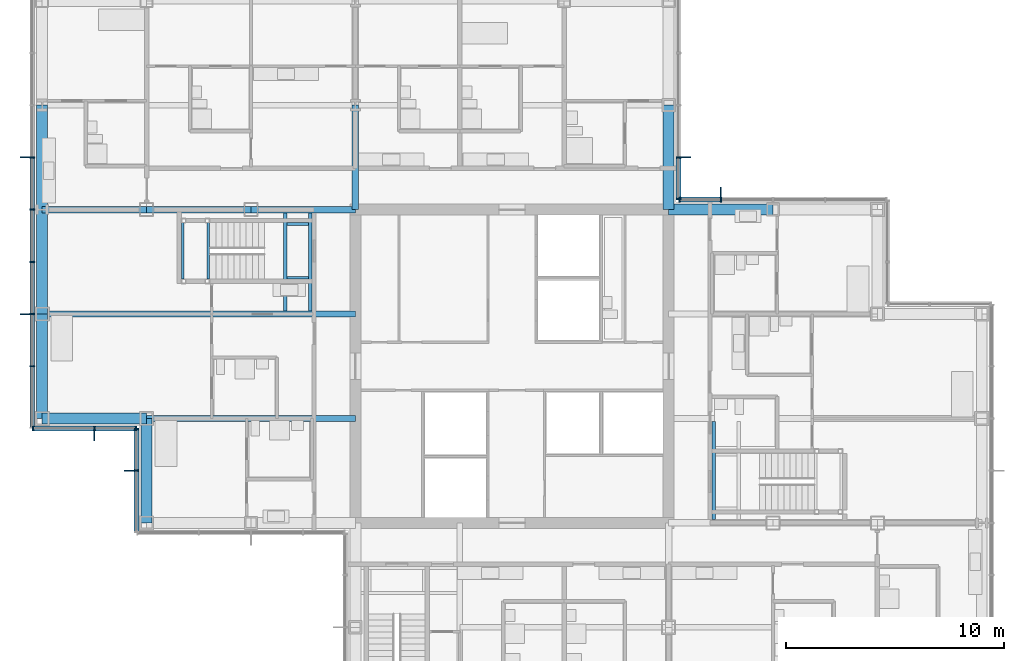
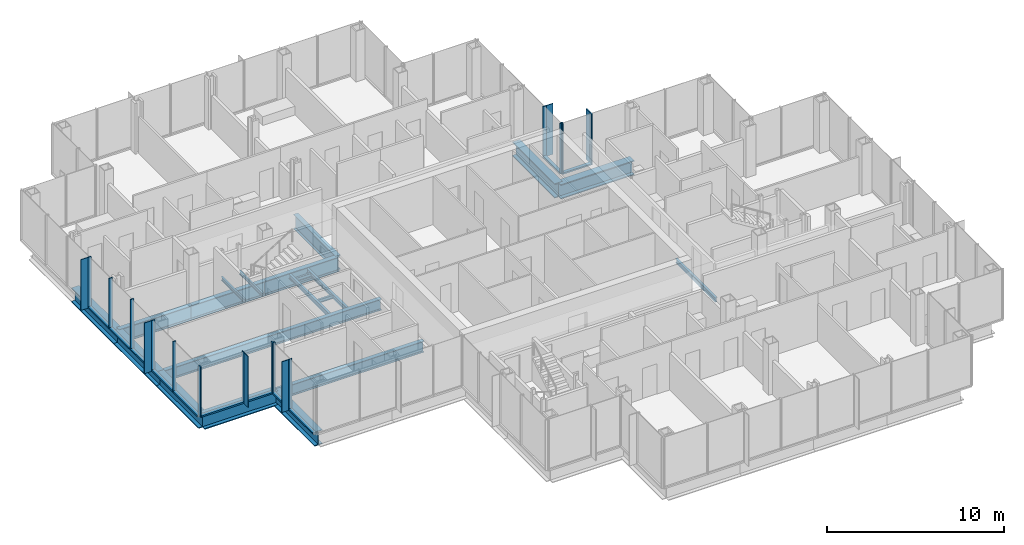
# One storey, part 7 of 19: 31 members, 20 beams, 5 elements without a shape of their own.
"""IFC4 building model written with IfcOpenShell, lengths in metres."""

from ifc_helpers import new_model, si_unit, direction, frame, origin, origin_2d, place, context, subcontext, project, spatial, rectangle, i_section, extrude, material, material_profile, profile_set, type_object, element, aggregate, save


model = new_model("IFC4")

# Units and contexts
model_context = context("Model", 3, precision=1e-05, world=origin(), true_north=direction((0.0, 1.0)))
body_context = subcontext(model_context, "Body", "Model", "MODEL_VIEW")
ifc_project = project(units=[si_unit("LENGTHUNIT", "METRE"), si_unit("AREAUNIT", "SQUARE_METRE"), si_unit("VOLUMEUNIT", "CUBIC_METRE"), si_unit("PLANEANGLEUNIT", "RADIAN"), si_unit("MASSUNIT", "GRAM", prefix="KILO")], contexts=[model_context])

# Site, building, storey
site_placement = place(None, origin())
site = spatial("IfcSite", under=ifc_project, at=site_placement, CompositionType="ELEMENT")
building_placement = place(site_placement, origin())
building = spatial("IfcBuilding", under=site, at=building_placement, Name="Kvirike Care Tower", CompositionType="ELEMENT")
storey_placement = place(building_placement, frame((0.0, 0.0, 98.0)))
storey = spatial("IfcBuildingStorey", under=building, at=storey_placement, Name="L26", CompositionType="ELEMENT", Elevation=98.0)

# Curtain wall, member
ifc_material_1 = material(Name="Anodised aluminium stick system", Category="aluminium")
curtain_wall_type = type_object("IfcCurtainWallType", Name="CW-B STICK CURTAIN WALL", PredefinedType="NOTDEFINED", material=ifc_material_1)
curtain_wall_1_placement = place(storey_placement, origin())
curtain_wall_1 = element("IfcCurtainWall", 1, at=curtain_wall_1_placement, inside=storey, type_object=curtain_wall_type, Name="Curtain wall L26 face 4", PredefinedType="NOTDEFINED")
ifc_material_2 = material(Name="Bronze anodised aluminium fin", Category="aluminium")
ifc_material_profile_1 = material_profile(ifc_material_2, rectangle(XDim=0.050048828125, YDim=0.449951171875, at=origin_2d()), Name="BRONZE FIN 450")
ifc_profile_set_1 = profile_set([ifc_material_profile_1], Name="Bronze anodised aluminium fin")
member_type_1 = type_object("IfcMemberType", Name="BRONZE FIN 450", PredefinedType="USERDEFINED", material=ifc_profile_set_1)
member_1_placement = place(storey_placement, frame((31.199951171875, 43.9951171875, 0.0), z_axis=(0.0, 0.0, 1.0), x_axis=(-1.0, 0.0, 0.0)))
member_1 = element("IfcMember", 2, at=member_1_placement, type_object=member_type_1, Name="Bronze fin L26 face 4.4", ObjectType="FIN", PredefinedType="USERDEFINED", context=body_context, shape_type="SweptSolid", body=[
    extrude(rectangle(XDim=0.050048828125, YDim=0.449951171875, at=origin_2d()), origin(), (0.0, 0.0, 1.0), 3.5),
])

curtain_wall_2_placement = place(storey_placement, origin())
curtain_wall_2 = element("IfcCurtainWall", 3, at=curtain_wall_2_placement, inside=storey, type_object=curtain_wall_type, Name="Curtain wall L26 face 5", PredefinedType="NOTDEFINED")
member_2_placement = place(storey_placement, frame((29.594970703125, 45.60009765625, 0.0), z_axis=(0.0, 0.0, 1.0), x_axis=(0.0, 1.0, 0.0)))
member_2 = element("IfcMember", 4, at=member_2_placement, type_object=member_type_1, Name="Bronze fin L26 face 5.2", ObjectType="FIN", PredefinedType="USERDEFINED", context=body_context, shape_type="SweptSolid", body=[
    extrude(rectangle(XDim=0.050048828125, YDim=0.449951171875, at=origin_2d()), origin(), (0.0, 0.0, 1.0), 3.5),
])

# Curtain wall, members
curtain_wall_3_placement = place(storey_placement, origin())
curtain_wall_3 = element("IfcCurtainWall", 5, at=curtain_wall_3_placement, inside=storey, type_object=curtain_wall_type, Name="Curtain wall L26 face 11", PredefinedType="NOTDEFINED")
member_3_placement = place(storey_placement, frame((-0.794921875, 45.60009765625, 0.0), z_axis=(0.0, 0.0, 1.0), x_axis=(0.0, -1.0, 0.0)))
member_3 = element("IfcMember", 6, at=member_3_placement, type_object=member_type_1, Name="Bronze fin L26 face 11.4", ObjectType="FIN", PredefinedType="USERDEFINED", context=body_context, shape_type="SweptSolid", body=[
    extrude(rectangle(XDim=0.050048828125, YDim=0.449951171875, at=origin_2d()), origin(), (0.0, 0.0, 1.0), 3.5),
])
member_4_placement = place(storey_placement, frame((-0.794921875, 38.39990234375, 0.0), z_axis=(0.0, 0.0, 1.0), x_axis=(0.0, -1.0, 0.0)))
member_4 = element("IfcMember", 7, at=member_4_placement, type_object=member_type_1, Name="Bronze fin L26 face 11.7", ObjectType="FIN", PredefinedType="USERDEFINED", context=body_context, shape_type="SweptSolid", body=[
    extrude(rectangle(XDim=0.050048828125, YDim=0.449951171875, at=origin_2d()), origin(), (0.0, 0.0, 1.0), 3.5),
])

# Curtain wall, member
curtain_wall_4_placement = place(storey_placement, origin())
curtain_wall_4 = element("IfcCurtainWall", 8, at=curtain_wall_4_placement, inside=storey, type_object=curtain_wall_type, Name="Curtain wall L26 face 12", PredefinedType="NOTDEFINED")
member_5_placement = place(storey_placement, frame((2.39990234375, 32.804931640625, 0.0), z_axis=(0.0, 0.0, 1.0), x_axis=(1.0, 0.0, 0.0)))
member_5 = element("IfcMember", 9, at=member_5_placement, type_object=member_type_1, Name="Bronze fin L26 face 12.2", ObjectType="FIN", PredefinedType="USERDEFINED", context=body_context, shape_type="SweptSolid", body=[
    extrude(rectangle(XDim=0.050048828125, YDim=0.449951171875, at=origin_2d()), origin(), (0.0, 0.0, 1.0), 3.5),
])

curtain_wall_5_placement = place(storey_placement, origin())
curtain_wall_5 = element("IfcCurtainWall", 10, at=curtain_wall_5_placement, inside=storey, type_object=curtain_wall_type, Name="Curtain wall L26 face 13", PredefinedType="NOTDEFINED")
member_6_placement = place(storey_placement, frame((4.0048828125, 31.199951171875, 0.0), z_axis=(0.0, 0.0, 1.0), x_axis=(0.0, -1.0, 0.0)))
member_6 = element("IfcMember", 11, at=member_6_placement, type_object=member_type_1, Name="Bronze fin L26 face 13.2", ObjectType="FIN", PredefinedType="USERDEFINED", context=body_context, shape_type="SweptSolid", body=[
    extrude(rectangle(XDim=0.050048828125, YDim=0.449951171875, at=origin_2d()), origin(), (0.0, 0.0, 1.0), 3.5),
])

# Member
ifc_material_3 = material(Name="Bronze anodised aluminium mullion", Category="aluminium")
ifc_material_profile_2 = material_profile(ifc_material_3, rectangle(XDim=0.06494140625, YDim=0.219970703125, at=origin_2d()), Name="CW-B MULLION 65x220")
ifc_profile_set_2 = profile_set([ifc_material_profile_2], Name="Bronze anodised aluminium mullion")
member_type_2 = type_object("IfcMemberType", Name="CW-B MULLION 65x220", PredefinedType="MULLION", material=ifc_profile_set_2)
member_7_placement = place(storey_placement, frame((31.199951171875, 43.659912109375, 0.0), z_axis=(0.0, 0.0, 1.0), x_axis=(-1.0, 0.0, 0.0)))
member_7 = element("IfcMember", 12, at=member_7_placement, type_object=member_type_2, Name="CW-B mullion L26 face 4.4", PredefinedType="MULLION", context=body_context, shape_type="SweptSolid", body=[
    extrude(rectangle(XDim=0.06494140625, YDim=0.219970703125, at=origin_2d()), origin(), (0.0, 0.0, 1.0), 3.5),
])

member_8_placement = place(storey_placement, frame((29.29248046875, 43.659912109375, 0.0), z_axis=(0.0, 0.0, 1.0), x_axis=(-1.0, 0.0, 0.0)))
member_8 = element("IfcMember", 13, at=member_8_placement, type_object=member_type_2, Name="CW-B mullion L26 face 4.5", PredefinedType="MULLION", context=body_context, shape_type="SweptSolid", body=[
    extrude(rectangle(XDim=0.06494140625, YDim=0.219970703125, at=origin_2d()), origin(), (0.0, 0.0, 1.0), 3.5),
])

member_9_placement = place(storey_placement, frame((29.260009765625, 43.6923828125, 0.0), z_axis=(0.0, 0.0, 1.0), x_axis=(0.0, 1.0, 0.0)))
member_9 = element("IfcMember", 14, at=member_9_placement, type_object=member_type_2, Name="CW-B mullion L26 face 5.1", PredefinedType="MULLION", context=body_context, shape_type="SweptSolid", body=[
    extrude(rectangle(XDim=0.06494140625, YDim=0.219970703125, at=origin_2d()), origin(), (0.0, 0.0, 1.0), 3.5),
])

member_10_placement = place(storey_placement, frame((29.260009765625, 45.60009765625, 0.0), z_axis=(0.0, 0.0, 1.0), x_axis=(0.0, 1.0, 0.0)))
member_10 = element("IfcMember", 15, at=member_10_placement, type_object=member_type_2, Name="CW-B mullion L26 face 5.2", PredefinedType="MULLION", context=body_context, shape_type="SweptSolid", body=[
    extrude(rectangle(XDim=0.06494140625, YDim=0.219970703125, at=origin_2d()), origin(), (0.0, 0.0, 1.0), 3.5),
])

member_11_placement = place(storey_placement, frame((-0.4599609375, 45.60009765625, 0.0), z_axis=(0.0, 0.0, 1.0), x_axis=(0.0, -1.0, 0.0)))
member_11 = element("IfcMember", 16, at=member_11_placement, type_object=member_type_2, Name="CW-B mullion L26 face 11.4", PredefinedType="MULLION", context=body_context, shape_type="SweptSolid", body=[
    extrude(rectangle(XDim=0.06494140625, YDim=0.219970703125, at=origin_2d()), origin(), (0.0, 0.0, 1.0), 3.5),
])

member_12_placement = place(storey_placement, frame((-0.4599609375, 43.199951171875, 0.0), z_axis=(0.0, 0.0, 1.0), x_axis=(0.0, -1.0, 0.0)))
member_12 = element("IfcMember", 17, at=member_12_placement, type_object=member_type_2, Name="CW-B mullion L26 face 11.5", PredefinedType="MULLION", context=body_context, shape_type="SweptSolid", body=[
    extrude(rectangle(XDim=0.06494140625, YDim=0.219970703125, at=origin_2d()), origin(), (0.0, 0.0, 1.0), 3.5),
])

member_13_placement = place(storey_placement, frame((-0.4599609375, 40.800048828125, 0.0), z_axis=(0.0, 0.0, 1.0), x_axis=(0.0, -1.0, 0.0)))
member_13 = element("IfcMember", 18, at=member_13_placement, type_object=member_type_2, Name="CW-B mullion L26 face 11.6", PredefinedType="MULLION", context=body_context, shape_type="SweptSolid", body=[
    extrude(rectangle(XDim=0.06494140625, YDim=0.219970703125, at=origin_2d()), origin(), (0.0, 0.0, 1.0), 3.5),
])

member_14_placement = place(storey_placement, frame((-0.4599609375, 38.39990234375, 0.0), z_axis=(0.0, 0.0, 1.0), x_axis=(0.0, -1.0, 0.0)))
member_14 = element("IfcMember", 19, at=member_14_placement, type_object=member_type_2, Name="CW-B mullion L26 face 11.7", PredefinedType="MULLION", context=body_context, shape_type="SweptSolid", body=[
    extrude(rectangle(XDim=0.06494140625, YDim=0.219970703125, at=origin_2d()), origin(), (0.0, 0.0, 1.0), 3.5),
])

member_15_placement = place(storey_placement, frame((-0.4599609375, 36.0, 0.0), z_axis=(0.0, 0.0, 1.0), x_axis=(0.0, -1.0, 0.0)))
member_15 = element("IfcMember", 20, at=member_15_placement, type_object=member_type_2, Name="CW-B mullion L26 face 11.8", PredefinedType="MULLION", context=body_context, shape_type="SweptSolid", body=[
    extrude(rectangle(XDim=0.06494140625, YDim=0.219970703125, at=origin_2d()), origin(), (0.0, 0.0, 1.0), 3.5),
])

member_16_placement = place(storey_placement, frame((-0.427490234375, 33.139892578125, 0.0), z_axis=(0.0, 0.0, 1.0), x_axis=(1.0, 0.0, 0.0)))
member_16 = element("IfcMember", 21, at=member_16_placement, type_object=member_type_2, Name="CW-B mullion L26 face 12.1", PredefinedType="MULLION", context=body_context, shape_type="SweptSolid", body=[
    extrude(rectangle(XDim=0.06494140625, YDim=0.219970703125, at=origin_2d()), origin(), (0.0, 0.0, 1.0), 3.5),
])

member_17_placement = place(storey_placement, frame((2.39990234375, 33.139892578125, 0.0), z_axis=(0.0, 0.0, 1.0), x_axis=(1.0, 0.0, 0.0)))
member_17 = element("IfcMember", 22, at=member_17_placement, type_object=member_type_2, Name="CW-B mullion L26 face 12.2", PredefinedType="MULLION", context=body_context, shape_type="SweptSolid", body=[
    extrude(rectangle(XDim=0.06494140625, YDim=0.219970703125, at=origin_2d()), origin(), (0.0, 0.0, 1.0), 3.5),
])

member_18_placement = place(storey_placement, frame((4.3076171875, 33.139892578125, 0.0), z_axis=(0.0, 0.0, 1.0), x_axis=(1.0, 0.0, 0.0)))
member_18 = element("IfcMember", 23, at=member_18_placement, type_object=member_type_2, Name="CW-B mullion L26 face 12.3", PredefinedType="MULLION", context=body_context, shape_type="SweptSolid", body=[
    extrude(rectangle(XDim=0.06494140625, YDim=0.219970703125, at=origin_2d()), origin(), (0.0, 0.0, 1.0), 3.5),
])

member_19_placement = place(storey_placement, frame((4.340087890625, 33.107421875, 0.0), z_axis=(0.0, 0.0, 1.0), x_axis=(0.0, -1.0, 0.0)))
member_19 = element("IfcMember", 24, at=member_19_placement, type_object=member_type_2, Name="CW-B mullion L26 face 13.1", PredefinedType="MULLION", context=body_context, shape_type="SweptSolid", body=[
    extrude(rectangle(XDim=0.06494140625, YDim=0.219970703125, at=origin_2d()), origin(), (0.0, 0.0, 1.0), 3.5),
])

member_20_placement = place(storey_placement, frame((4.340087890625, 31.199951171875, 0.0), z_axis=(0.0, 0.0, 1.0), x_axis=(0.0, -1.0, 0.0)))
member_20 = element("IfcMember", 25, at=member_20_placement, type_object=member_type_2, Name="CW-B mullion L26 face 13.2", PredefinedType="MULLION", context=body_context, shape_type="SweptSolid", body=[
    extrude(rectangle(XDim=0.06494140625, YDim=0.219970703125, at=origin_2d()), origin(), (0.0, 0.0, 1.0), 3.5),
])

ifc_material_4 = material(Name="Bronze anodised aluminium transom", Category="aluminium")
ifc_material_profile_3 = material_profile(ifc_material_4, rectangle(XDim=0.219970703125, YDim=0.10009765625, at=origin_2d()), Name="CW-B TRANSOM 220x100")
ifc_profile_set_3 = profile_set([ifc_material_profile_3], Name="Bronze anodised aluminium transom")
member_type_3 = type_object("IfcMemberType", Name="CW-B TRANSOM 220x100", PredefinedType="USERDEFINED", material=ifc_profile_set_3)
member_21_placement = place(storey_placement, frame((31.16748046875, 43.659912109375, 0.050048828125), z_axis=(-1.0, 0.0, 0.0), x_axis=(0.0, -1.0, 0.0)))
member_21 = element("IfcMember", 26, at=member_21_placement, type_object=member_type_3, Name="CW-B sill transom L26 face 4.4", ObjectType="TRANSOM", PredefinedType="USERDEFINED", context=body_context, shape_type="SweptSolid", body=[
    extrude(rectangle(XDim=0.219970703125, YDim=0.10009765625, at=origin_2d()), origin(), (0.0, 0.0, 1.0), 1.842529296875),
])

aggregate(curtain_wall_1, [member_7, member_1, member_8, member_21])

member_22_placement = place(storey_placement, frame((29.260009765625, 43.72509765625, 0.050048828125), z_axis=(0.0, 1.0, 0.0), x_axis=(-1.0, 0.0, 0.0)))
member_22 = element("IfcMember", 27, at=member_22_placement, type_object=member_type_3, Name="CW-B sill transom L26 face 5.1", ObjectType="TRANSOM", PredefinedType="USERDEFINED", context=body_context, shape_type="SweptSolid", body=[
    extrude(rectangle(XDim=0.219970703125, YDim=0.10009765625, at=origin_2d()), origin(), (0.0, 0.0, 1.0), 1.84228515625),
])

aggregate(curtain_wall_2, [member_9, member_10, member_2, member_22])

member_23_placement = place(storey_placement, frame((-0.4599609375, 45.5673828125, 0.050048828125), z_axis=(0.0, -1.0, 0.0), x_axis=(1.0, 0.0, 0.0)))
member_23 = element("IfcMember", 28, at=member_23_placement, type_object=member_type_3, Name="CW-B sill transom L26 face 11.4", ObjectType="TRANSOM", PredefinedType="USERDEFINED", context=body_context, shape_type="SweptSolid", body=[
    extrude(rectangle(XDim=0.219970703125, YDim=0.10009765625, at=origin_2d()), origin(), (0.0, 0.0, 1.0), 2.3349609375),
])

member_24_placement = place(storey_placement, frame((-0.4599609375, 43.16748046875, 0.050048828125), z_axis=(0.0, -1.0, 0.0), x_axis=(1.0, 0.0, 0.0)))
member_24 = element("IfcMember", 29, at=member_24_placement, type_object=member_type_3, Name="CW-B sill transom L26 face 11.5", ObjectType="TRANSOM", PredefinedType="USERDEFINED", context=body_context, shape_type="SweptSolid", body=[
    extrude(rectangle(XDim=0.219970703125, YDim=0.10009765625, at=origin_2d()), origin(), (0.0, 0.0, 1.0), 2.3349609375),
])

member_25_placement = place(storey_placement, frame((-0.4599609375, 40.767578125, 0.050048828125), z_axis=(0.0, -1.0, 0.0), x_axis=(1.0, 0.0, 0.0)))
member_25 = element("IfcMember", 30, at=member_25_placement, type_object=member_type_3, Name="CW-B sill transom L26 face 11.6", ObjectType="TRANSOM", PredefinedType="USERDEFINED", context=body_context, shape_type="SweptSolid", body=[
    extrude(rectangle(XDim=0.219970703125, YDim=0.10009765625, at=origin_2d()), origin(), (0.0, 0.0, 1.0), 2.3349609375),
])

member_26_placement = place(storey_placement, frame((-0.4599609375, 38.367431640625, 0.050048828125), z_axis=(0.0, -1.0, 0.0), x_axis=(1.0, 0.0, 0.0)))
member_26 = element("IfcMember", 31, at=member_26_placement, type_object=member_type_3, Name="CW-B sill transom L26 face 11.7", ObjectType="TRANSOM", PredefinedType="USERDEFINED", context=body_context, shape_type="SweptSolid", body=[
    extrude(rectangle(XDim=0.219970703125, YDim=0.10009765625, at=origin_2d()), origin(), (0.0, 0.0, 1.0), 2.3349609375),
])

member_27_placement = place(storey_placement, frame((-0.4599609375, 35.967529296875, 0.050048828125), z_axis=(0.0, -1.0, 0.0), x_axis=(1.0, 0.0, 0.0)))
member_27 = element("IfcMember", 32, at=member_27_placement, type_object=member_type_3, Name="CW-B sill transom L26 face 11.8", ObjectType="TRANSOM", PredefinedType="USERDEFINED", context=body_context, shape_type="SweptSolid", body=[
    extrude(rectangle(XDim=0.219970703125, YDim=0.10009765625, at=origin_2d()), origin(), (0.0, 0.0, 1.0), 2.762451171875),
])

aggregate(curtain_wall_3, [member_11, member_3, member_12, member_13, member_14, member_4, member_15, member_23, member_24, member_25, member_26, member_27])

member_28_placement = place(storey_placement, frame((-0.39501953125, 33.139892578125, 0.050048828125), z_axis=(1.0, 0.0, 0.0), x_axis=(0.0, 1.0, 0.0)))
member_28 = element("IfcMember", 33, at=member_28_placement, type_object=member_type_3, Name="CW-B sill transom L26 face 12.1", ObjectType="TRANSOM", PredefinedType="USERDEFINED", context=body_context, shape_type="SweptSolid", body=[
    extrude(rectangle(XDim=0.219970703125, YDim=0.10009765625, at=origin_2d()), origin(), (0.0, 0.0, 1.0), 2.762451171875),
])

member_29_placement = place(storey_placement, frame((2.4326171875, 33.139892578125, 0.050048828125), z_axis=(1.0, 0.0, 0.0), x_axis=(0.0, 1.0, 0.0)))
member_29 = element("IfcMember", 34, at=member_29_placement, type_object=member_type_3, Name="CW-B sill transom L26 face 12.2", ObjectType="TRANSOM", PredefinedType="USERDEFINED", context=body_context, shape_type="SweptSolid", body=[
    extrude(rectangle(XDim=0.219970703125, YDim=0.10009765625, at=origin_2d()), origin(), (0.0, 0.0, 1.0), 1.84228515625),
])

aggregate(curtain_wall_4, [member_16, member_17, member_5, member_18, member_28, member_29])

member_30_placement = place(storey_placement, frame((4.340087890625, 33.074951171875, 0.050048828125), z_axis=(0.0, -1.0, 0.0), x_axis=(1.0, 0.0, 0.0)))
member_30 = element("IfcMember", 35, at=member_30_placement, type_object=member_type_3, Name="CW-B sill transom L26 face 13.1", ObjectType="TRANSOM", PredefinedType="USERDEFINED", context=body_context, shape_type="SweptSolid", body=[
    extrude(rectangle(XDim=0.219970703125, YDim=0.10009765625, at=origin_2d()), origin(), (0.0, 0.0, 1.0), 1.842529296875),
])

member_31_placement = place(storey_placement, frame((4.340087890625, 31.16748046875, 0.050048828125), z_axis=(0.0, -1.0, 0.0), x_axis=(1.0, 0.0, 0.0)))
member_31 = element("IfcMember", 36, at=member_31_placement, type_object=member_type_3, Name="CW-B sill transom L26 face 13.2", ObjectType="TRANSOM", PredefinedType="USERDEFINED", context=body_context, shape_type="SweptSolid", body=[
    extrude(rectangle(XDim=0.219970703125, YDim=0.10009765625, at=origin_2d()), origin(), (0.0, 0.0, 1.0), 2.762451171875),
])

aggregate(curtain_wall_5, [member_19, member_20, member_6, member_30, member_31])

# Beams
ifc_material_5 = material(Name="Steel S355", Category="steel")
ifc_material_profile_4 = material_profile(ifc_material_5, i_section(OverallWidth=0.26806640625, OverallDepth=0.77001953125, WebThickness=0.015625, FlangeThickness=0.025390625, FilletRadius=0.01708984375, at=origin_2d()), Name="IPE 750x196")
ifc_profile_set_4 = profile_set([ifc_material_profile_4], Name="Steel S355")
beam_type_1 = type_object("IfcBeamType", Name="FLOOR BEAM IPE 750x196", PredefinedType="BEAM", material=ifc_profile_set_4)
beam_1_placement = place(storey_placement, frame((4.800048828125, 33.60009765625, -0.554931640625), z_axis=(1.0, 0.0, 0.0), x_axis=(0.0, 1.0, 0.0)))
element("IfcBeam", 37, at=beam_1_placement, inside=storey, type_object=beam_type_1, Name="Floor Beam H4-H6 L26", PredefinedType="BEAM", context=body_context, shape_type="SweptSolid", body=[
    extrude(i_section(OverallWidth=0.26806640625, OverallDepth=0.77001953125, WebThickness=0.015625, FlangeThickness=0.025390625, FilletRadius=0.01708984375, at=origin_2d()), origin(), (0.0, 0.0, 1.0), 9.599853515625),
])
beam_2_placement = place(storey_placement, frame((0.0, 38.39990234375, -0.554931640625), z_axis=(1.0, 0.0, 0.0), x_axis=(0.0, 1.0, 0.0)))
element("IfcBeam", 38, at=beam_2_placement, inside=storey, type_object=beam_type_1, Name="Floor Beam J3-J6 L26", PredefinedType="BEAM", context=body_context, shape_type="SweptSolid", body=[
    extrude(i_section(OverallWidth=0.26806640625, OverallDepth=0.77001953125, WebThickness=0.015625, FlangeThickness=0.025390625, FilletRadius=0.01708984375, at=origin_2d()), origin(), (0.0, 0.0, 1.0), 14.39990234375),
])
ifc_material_6 = material(Name="Steel S355", Category="steel")
ifc_material_profile_5 = material_profile(ifc_material_6, i_section(OverallWidth=0.300048828125, OverallDepth=1.0, WebThickness=0.01904296875, FlangeThickness=0.035888671875, FilletRadius=0.030029296875, at=origin_2d()), Name="HE 1000 B")
ifc_profile_set_5 = profile_set([ifc_material_profile_5], Name="Steel S355")
beam_type_2 = type_object("IfcBeamType", Name="FRAME BEAM HE 1000 B", PredefinedType="BEAM", material=ifc_profile_set_5)
for number, where, z_axis, x_axis, name in (
    (39, (0.0, 43.199951171875, -0.669921875), (1.0, 0.0, 0.0), (0.0, 1.0, 0.0), "Frame Beam K3-K4 L26"),
    (40, (4.800048828125, 43.199951171875, -0.669921875), (1.0, 0.0, 0.0), (0.0, 1.0, 0.0), "Frame Beam K4-K5 L26"),
):
    element("IfcBeam", number, at=place(storey_placement, frame(where, z_axis=z_axis, x_axis=x_axis)), inside=storey, type_object=beam_type_2, Name=name, PredefinedType="BEAM", context=body_context, shape_type="SweptSolid", body=[
        extrude(i_section(OverallWidth=0.300048828125, OverallDepth=1.0, WebThickness=0.01904296875, FlangeThickness=0.035888671875, FilletRadius=0.030029296875, at=origin_2d()), origin(), (0.0, 0.0, 1.0), 4.800048828125),
    ])
beam_3_placement = place(storey_placement, frame((9.60009765625, 43.199951171875, -0.669921875), z_axis=(1.0, 0.0, 0.0), x_axis=(0.0, 1.0, 0.0)))
element("IfcBeam", 41, at=beam_3_placement, inside=storey, type_object=beam_type_2, Name="Frame Beam K5-K6 L26", PredefinedType="BEAM", context=body_context, shape_type="SweptSolid", body=[
    extrude(i_section(OverallWidth=0.300048828125, OverallDepth=1.0, WebThickness=0.01904296875, FlangeThickness=0.035888671875, FilletRadius=0.030029296875, at=origin_2d()), origin(), (0.0, 0.0, 1.0), 4.7998046875),
])
beam_4_placement = place(storey_placement, frame((14.39990234375, 43.199951171875, -0.669921875), z_axis=(0.0, 1.0, 0.0), x_axis=(-1.0, 0.0, 0.0)))
element("IfcBeam", 42, at=beam_4_placement, inside=storey, type_object=beam_type_2, Name="Frame Beam K6-L6 L26", PredefinedType="BEAM", context=body_context, shape_type="SweptSolid", body=[
    extrude(i_section(OverallWidth=0.300048828125, OverallDepth=1.0, WebThickness=0.01904296875, FlangeThickness=0.035888671875, FilletRadius=0.030029296875, at=origin_2d()), origin(), (0.0, 0.0, 1.0), 4.800048828125),
])
ifc_material_7 = material(Name="Steel S355", Category="steel")
ifc_material_profile_6 = material_profile(ifc_material_7, i_section(OverallWidth=0.5, OverallDepth=1.0, WebThickness=0.030029296875, FlangeThickness=0.06005859375, at=origin_2d()), Name="PG 1000x500x30x60")
ifc_profile_set_6 = profile_set([ifc_material_profile_6], Name="Steel S355")
beam_type_3 = type_object("IfcBeamType", Name="SPANDREL PG 1000x500x30x60", PredefinedType="SPANDREL", material=ifc_profile_set_6)
for number, where, z_axis, x_axis, name in (
    (43, (0.0, 33.60009765625, -0.669921875), (1.0, 0.0, 0.0), (0.0, 1.0, 0.0), "Spandrel H3-H4 L26"),
    (44, (28.800048828125, 43.199951171875, -0.669921875), (1.0, 0.0, 0.0), (0.0, 1.0, 0.0), "Spandrel K9-K10 L26"),
):
    element("IfcBeam", number, at=place(storey_placement, frame(where, z_axis=z_axis, x_axis=x_axis)), inside=storey, type_object=beam_type_3, Name=name, PredefinedType="SPANDREL", context=body_context, shape_type="SweptSolid", body=[
        extrude(i_section(OverallWidth=0.5, OverallDepth=1.0, WebThickness=0.030029296875, FlangeThickness=0.06005859375, at=origin_2d()), origin(), (0.0, 0.0, 1.0), 4.800048828125),
    ])
beam_5_placement = place(storey_placement, frame((0.0, 33.60009765625, -0.669921875), z_axis=(0.0, 1.0, 0.0), x_axis=(-1.0, 0.0, 0.0)))
element("IfcBeam", 45, at=beam_5_placement, inside=storey, type_object=beam_type_3, Name="Spandrel H3-J3 L26", PredefinedType="SPANDREL", context=body_context, shape_type="SweptSolid", body=[
    extrude(i_section(OverallWidth=0.5, OverallDepth=1.0, WebThickness=0.030029296875, FlangeThickness=0.06005859375, at=origin_2d()), origin(), (0.0, 0.0, 1.0), 4.7998046875),
])
for number, where, z_axis, x_axis, name in (
    (46, (0.0, 38.39990234375, -0.669921875), (0.0, 1.0, 0.0), (-1.0, 0.0, 0.0), "Spandrel J3-K3 L26"),
    (47, (0.0, 43.199951171875, -0.669921875), (0.0, 1.0, 0.0), (-1.0, 0.0, 0.0), "Spandrel K3-L3 L26"),
    (48, (4.800048828125, 28.800048828125, -0.669921875), (0.0, 1.0, 0.0), (-1.0, 0.0, 0.0), "Spandrel G4-H4 L26"),
    (49, (28.800048828125, 43.199951171875, -0.669921875), (0.0, 1.0, 0.0), (-1.0, 0.0, 0.0), "Spandrel K9-L9 L26"),
):
    element("IfcBeam", number, at=place(storey_placement, frame(where, z_axis=z_axis, x_axis=x_axis)), inside=storey, type_object=beam_type_3, Name=name, PredefinedType="SPANDREL", context=body_context, shape_type="SweptSolid", body=[
        extrude(i_section(OverallWidth=0.5, OverallDepth=1.0, WebThickness=0.030029296875, FlangeThickness=0.06005859375, at=origin_2d()), origin(), (0.0, 0.0, 1.0), 4.800048828125),
    ])
ifc_material_8 = material(Name="Steel S355", Category="steel")
ifc_material_profile_7 = material_profile(ifc_material_8, i_section(OverallWidth=0.1201171875, OverallDepth=0.239990234375, WebThickness=0.006103515625, FlangeThickness=0.009765625, FilletRadius=0.014892578125, at=origin_2d()), Name="IPE 240")
ifc_profile_set_7 = profile_set([ifc_material_profile_7], Name="Steel S355")
beam_type_4 = type_object("IfcBeamType", Name="STAIR LANDING BEAM IPE 240", PredefinedType="BEAM", material=ifc_profile_set_7)
for number, where, z_axis, x_axis, name in (
    (50, (6.4599609375, 42.60009765625, 1.429931640625), (0.0, -1.0, 0.0), (1.0, 0.0, 0.0), "Stair 1 landing beam back L26"),
    (51, (7.639892578125, 42.60009765625, 1.429931640625), (0.0, -1.0, 0.0), (1.0, 0.0, 0.0), "Stair 1 landing beam front L26"),
):
    element("IfcBeam", number, at=place(storey_placement, frame(where, z_axis=z_axis, x_axis=x_axis)), inside=storey, type_object=beam_type_4, Name=name, PredefinedType="BEAM", context=body_context, shape_type="SweptSolid", body=[
        extrude(i_section(OverallWidth=0.1201171875, OverallDepth=0.239990234375, WebThickness=0.006103515625, FlangeThickness=0.009765625, FilletRadius=0.014892578125, at=origin_2d()), origin(), (0.0, 0.0, 1.0), 2.60009765625),
    ])
for number, where, z_axis, x_axis, name in (
    (52, (11.25, 42.5400390625, -0.320068359375), (1.0, 0.0, 0.0), (0.0, 1.0, 0.0), "Stair 1 landing edge beam 1 L26"),
    (53, (11.25, 40.06005859375, -0.320068359375), (1.0, 0.0, 0.0), (0.0, 1.0, 0.0), "Stair 1 landing edge beam 2 L26"),
):
    element("IfcBeam", number, at=place(storey_placement, frame(where, z_axis=z_axis, x_axis=x_axis)), inside=storey, type_object=beam_type_4, Name=name, PredefinedType="BEAM", context=body_context, shape_type="SweptSolid", body=[
        extrude(i_section(OverallWidth=0.1201171875, OverallDepth=0.239990234375, WebThickness=0.006103515625, FlangeThickness=0.009765625, FilletRadius=0.014892578125, at=origin_2d()), origin(), (0.0, 0.0, 1.0), 1.0),
    ])
ifc_material_9 = material(Name="Steel S355", Category="steel")
ifc_material_profile_8 = material_profile(ifc_material_9, i_section(OverallWidth=0.14990234375, OverallDepth=0.300048828125, WebThickness=0.007080078125, FlangeThickness=0.0107421875, FilletRadius=0.014892578125, at=origin_2d()), Name="IPE 300")
ifc_profile_set_8 = profile_set([ifc_material_profile_8], Name="Steel S355")
beam_type_5 = type_object("IfcBeamType", Name="STAIR TRIMMER IPE 300", PredefinedType="BEAM", material=ifc_profile_set_8)
for number, where, z_axis, x_axis, name in (
    (54, (11.175048828125, 43.050048828125, -0.35009765625), (0.0, -1.0, 0.0), (1.0, 0.0, 0.0), "Stair 1 trimmer 1 L26"),
    (55, (12.324951171875, 43.050048828125, -0.35009765625), (0.0, -1.0, 0.0), (1.0, 0.0, 0.0), "Stair 1 trimmer 2 L26"),
    (56, (30.875, 28.949951171875, -0.35009765625), (0.0, 1.0, 0.0), (-1.0, 0.0, 0.0), "Stair 2 trimmer 2 L26"),
):
    element("IfcBeam", number, at=place(storey_placement, frame(where, z_axis=z_axis, x_axis=x_axis)), inside=storey, type_object=beam_type_5, Name=name, PredefinedType="BEAM", context=body_context, shape_type="SweptSolid", body=[
        extrude(i_section(OverallWidth=0.14990234375, OverallDepth=0.300048828125, WebThickness=0.007080078125, FlangeThickness=0.0107421875, FilletRadius=0.014892578125, at=origin_2d()), origin(), (0.0, 0.0, 1.0), 4.51611328125),
    ])

save(model, "model.ifc")
